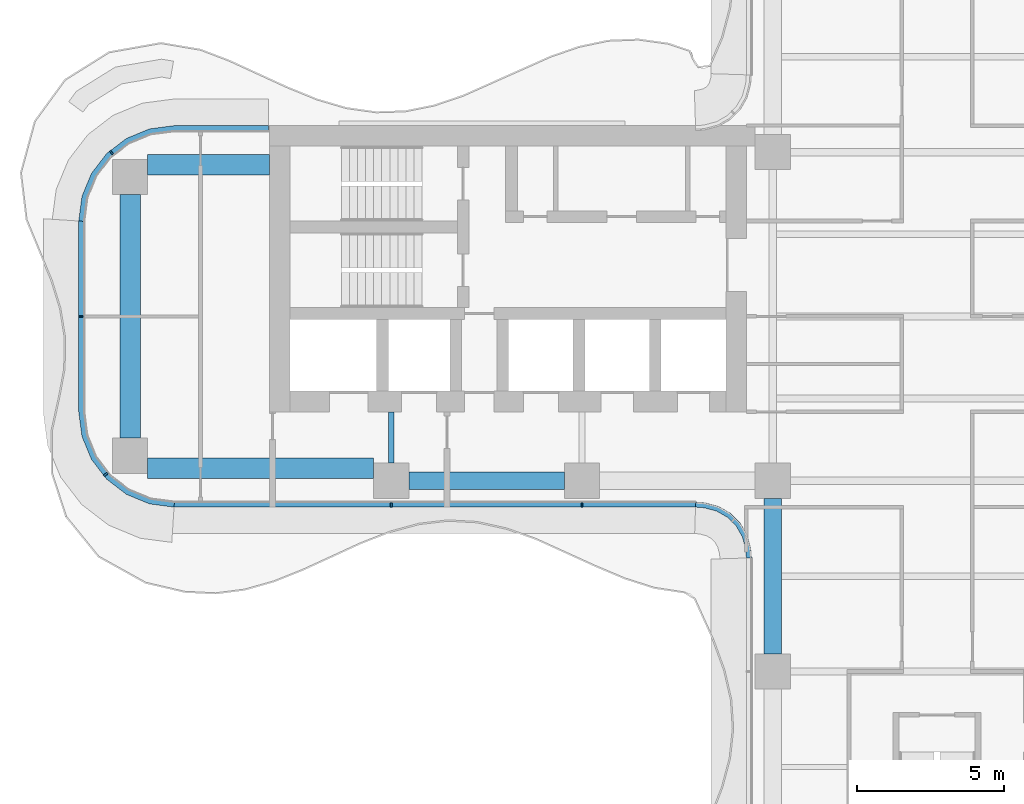
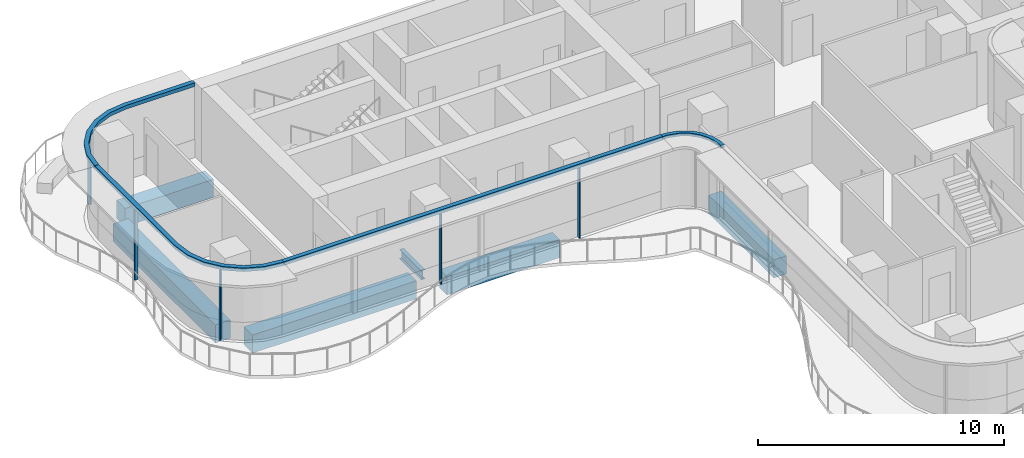
# One storey, part 3 of 18: 9 members, 6 beams, 4 elements without a shape of their own.
"""IFC4 building model written with IfcOpenShell, lengths in metres."""

from ifc_helpers import new_model, si_unit, direction, frame, origin, origin_2d, place, context, subcontext, project, spatial, polyline, rectangle, i_section, outline, extrude, source, transform, mapped, material, layer, layer_set, material_profile, profile_set, type_object, element, aggregate, save


model = new_model("IFC4")

# Units and contexts
model_context = context("Model", 3, precision=1e-05, world=origin(), true_north=direction((0.0, 1.0)))
body_context = subcontext(model_context, "Body", "Model", "MODEL_VIEW")
ifc_project = project(units=[si_unit("LENGTHUNIT", "METRE"), si_unit("AREAUNIT", "SQUARE_METRE"), si_unit("VOLUMEUNIT", "CUBIC_METRE"), si_unit("PLANEANGLEUNIT", "RADIAN"), si_unit("MASSUNIT", "GRAM", prefix="KILO")], contexts=[model_context])

# Site, building, storey
site_placement = place(None, origin())
site = spatial("IfcSite", under=ifc_project, at=site_placement, CompositionType="ELEMENT")
building_placement = place(site_placement, origin())
building = spatial("IfcBuilding", under=site, at=building_placement, Name="Trellis Farm Tower", CompositionType="ELEMENT")
storey_placement = place(building_placement, frame((0.0, 0.0, 204.89990234375)))
storey = spatial("IfcBuildingStorey", under=building, at=storey_placement, Name="L45", CompositionType="ELEMENT", Elevation=204.89990234375)

# Beams
ifc_material_1 = material(Name="Concrete C60/75", Category="concrete")
ifc_material_profile_1 = material_profile(ifc_material_1, rectangle(XDim=0.60009765625, YDim=0.89990234375, at=origin_2d()), Name="RC spandrel beam 600x900 C60/75")
ifc_profile_set_1 = profile_set([ifc_material_profile_1], Name="Concrete C60/75")
beam_type_1 = type_object("IfcBeamType", Name="RC spandrel beam 600x900 C60/75", PredefinedType="SPANDREL", material=ifc_profile_set_1)
shared_shape_1 = source(origin(), body_context, "Body", "SweptSolid", [
    extrude(rectangle(XDim=0.60009765625, YDim=0.89990234375, at=origin_2d()), origin(), (0.0, 0.0, 1.0), 5.300048828125),
])
for number, where, z_axis, x_axis, name in (
    (1, (-18.0, -5.60009765625, -0.64990234375), (1.0, 0.0, 0.0), (0.0, 1.0, 0.0), "Girder"),
    (2, (-5.60009765625, -11.5, -0.64990234375), (0.0, 1.0, 0.0), (-1.0, 0.0, 0.0), "Girder"),
):
    element("IfcBeam", number, at=place(storey_placement, frame(where, z_axis=z_axis, x_axis=x_axis)), inside=storey, type_object=beam_type_1, Name=name, PredefinedType="SPANDREL", context=body_context, shape_type="MappedRepresentation", body=[
        mapped(shared_shape_1, transform((0.0, 0.0, 0.0))),
    ])
ifc_material_profile_2 = material_profile(ifc_material_1, rectangle(XDim=0.699951171875, YDim=0.89990234375, at=origin_2d()), Name="RC spandrel beam 700x900 C60/75")
ifc_profile_set_2 = profile_set([ifc_material_profile_2], Name="Concrete C60/75")
beam_type_2 = type_object("IfcBeamType", Name="RC spandrel beam 700x900 C60/75", PredefinedType="SPANDREL", material=ifc_profile_set_2)
shared_shape_2 = source(origin(), body_context, "Body", "SweptSolid", [
    extrude(rectangle(XDim=0.699951171875, YDim=0.89990234375, at=origin_2d()), origin(), (0.0, 0.0, 1.0), 8.2998046875),
])
beam_1_placement = place(storey_placement, frame((-27.5, -4.14990234375, -0.64990234375), z_axis=(0.0, 1.0, 0.0), x_axis=(-1.0, 0.0, 0.0)))
element("IfcBeam", 3, at=beam_1_placement, inside=storey, type_object=beam_type_2, Name="Girder", PredefinedType="SPANDREL", context=body_context, shape_type="MappedRepresentation", body=[
    mapped(shared_shape_2, transform((0.0, 0.0, 0.0))),
])
ifc_material_2 = material(Name="Steel S355", Category="steel")
ifc_material_profile_3 = material_profile(ifc_material_2, i_section(OverallWidth=0.1904296875, OverallDepth=0.45703125, WebThickness=0.009033203125, FlangeThickness=0.014404296875, FilletRadius=0.01025390625, at=origin_2d()), Name="UB 457x191x74")
ifc_profile_set_3 = profile_set([ifc_material_profile_3], Name="Steel S355")
beam_type_3 = type_object("IfcBeamType", Name="UB 457x191x74", PredefinedType="BEAM", material=ifc_profile_set_3)
shared_shape_3 = source(origin(), body_context, "Body", "SweptSolid", [
    extrude(i_section(OverallWidth=0.1904296875, OverallDepth=0.45703125, WebThickness=0.009033203125, FlangeThickness=0.014404296875, FilletRadius=0.01025390625, at=origin_2d()), origin(), (0.0, 0.0, 1.0), 1.75),
])
beam_2_placement = place(storey_placement, frame((-18.60009765625, -5.0, -0.428466796875), z_axis=(0.0, 1.0, 0.0), x_axis=(-1.0, 0.0, 0.0)))
element("IfcBeam", 4, at=beam_2_placement, inside=storey, type_object=beam_type_3, Name="Girder", PredefinedType="BEAM", context=body_context, shape_type="MappedRepresentation", body=[
    mapped(shared_shape_3, transform((0.0, 0.0, 0.0))),
])
shared_shape_4 = source(origin(), body_context, "Body", "SweptSolid", [
    extrude(rectangle(XDim=0.699951171875, YDim=0.89990234375, at=origin_2d()), origin(), (0.0, 0.0, 1.0), 7.699951171875),
])
beam_3_placement = place(storey_placement, frame((-26.89990234375, -5.175048828125, -0.64990234375), z_axis=(1.0, 0.0, 0.0), x_axis=(0.0, 1.0, 0.0)))
element("IfcBeam", 5, at=beam_3_placement, inside=storey, type_object=beam_type_2, Name="Girder", PredefinedType="SPANDREL", context=body_context, shape_type="MappedRepresentation", body=[
    mapped(shared_shape_4, transform((0.0, 0.0, 0.0))),
])
shared_shape_5 = source(origin(), body_context, "Body", "SweptSolid", [
    extrude(rectangle(XDim=0.699951171875, YDim=0.89990234375, at=origin_2d()), origin(), (0.0, 0.0, 1.0), 4.14990234375),
])
beam_4_placement = place(storey_placement, frame((-26.89990234375, 5.175048828125, -0.64990234375), z_axis=(1.0, 0.0, 0.0), x_axis=(0.0, 1.0, 0.0)))
element("IfcBeam", 6, at=beam_4_placement, inside=storey, type_object=beam_type_2, Name="Girder", PredefinedType="SPANDREL", context=body_context, shape_type="MappedRepresentation", body=[
    mapped(shared_shape_5, transform((0.0, 0.0, 0.0))),
])

# Curtain wall, members
ifc_material_3 = material(Name="Aluminium and glass curtain wall", Category="aluminium")
ifc_layer_1 = layer(ifc_material_3, 0.18994140625)
ifc_layer_set_1 = layer_set([ifc_layer_1], Name="RIBBON CURTAIN WALL CW1")
curtain_wall_type_1 = type_object("IfcCurtainWallType", Name="RIBBON CURTAIN WALL CW1", PredefinedType="NOTDEFINED", material=ifc_layer_set_1)
placement_1 = place(storey_placement, origin())
curtain_wall_1 = element("IfcCurtainWall", 7, at=placement_1, inside=storey, type_object=curtain_wall_type_1, Name="CW1 001", PredefinedType="NOTDEFINED")
ifc_material_4 = material(Name="Aluminium extrusion 6063-T6", Category="aluminium")
ifc_material_profile_4 = material_profile(ifc_material_4, rectangle(XDim=0.06005859375, YDim=0.14990234375, at=origin_2d()), Name="MULLION 60x150")
ifc_profile_set_4 = profile_set([ifc_material_profile_4], Name="Aluminium extrusion 6063-T6")
member_type_1 = type_object("IfcMemberType", Name="CW1 MULLION 60x150", PredefinedType="MULLION", material=ifc_profile_set_4)
shared_shape_6 = source(origin(), body_context, "Body", "SweptSolid", [
    extrude(rectangle(XDim=0.06005859375, YDim=0.14990234375, at=origin_2d()), origin(), (0.0, 0.0, 1.0), 3.52001953125),
])
member_1_placement = place(storey_placement, frame((-18.60009765625, -6.425048828125, 0.0), z_axis=(0.0, 0.0, 1.0), x_axis=(1.0, 0.0, 0.0)))
member_1 = element("IfcMember", 8, at=member_1_placement, type_object=member_type_1, Name="MU1 001-01", PredefinedType="MULLION", context=body_context, shape_type="MappedRepresentation", body=[
    mapped(shared_shape_6, transform((0.0, 0.0, 0.0))),
])
member_2_placement = place(storey_placement, frame((-12.10009765625, -6.425048828125, 0.0), z_axis=(0.0, 0.0, 1.0), x_axis=(1.0, 0.0, 0.0)))
member_2 = element("IfcMember", 9, at=member_2_placement, type_object=member_type_1, Name="MU1 001-02", PredefinedType="MULLION", context=body_context, shape_type="MappedRepresentation", body=[
    mapped(shared_shape_6, transform((0.0, 0.0, 0.0))),
])

# Curtain wall, member
curtain_wall_2 = element("IfcCurtainWall", 10, at=placement_1, inside=storey, type_object=curtain_wall_type_1, Name="CW1 012", PredefinedType="NOTDEFINED")
member_3_placement = place(storey_placement, frame((-28.135498046875, 5.578369140625, 0.0), z_axis=(0.0, 0.0, 1.0), x_axis=(-0.793353340291, -0.608761429009, 0.0)))
member_3 = element("IfcMember", 11, at=member_3_placement, type_object=member_type_1, Name="MU1 012-01", PredefinedType="MULLION", context=body_context, shape_type="MappedRepresentation", body=[
    mapped(shared_shape_6, transform((0.0, 0.0, 0.0))),
])

# Curtain wall, members
curtain_wall_3 = element("IfcCurtainWall", 12, at=placement_1, inside=storey, type_object=curtain_wall_type_1, Name="CW1 013", PredefinedType="NOTDEFINED")
member_4_placement = place(storey_placement, frame((-29.175048828125, 0.0, 0.0), z_axis=(0.0, 0.0, 1.0), x_axis=(0.0, -1.0, 0.0)))
member_4 = element("IfcMember", 13, at=member_4_placement, type_object=member_type_1, Name="MU1 013-01", PredefinedType="MULLION", context=body_context, shape_type="MappedRepresentation", body=[
    mapped(shared_shape_6, transform((0.0, 0.0, 0.0))),
])
member_5_placement = place(storey_placement, frame((-28.328369140625, -5.385498046875, 0.0), z_axis=(0.0, 0.0, 1.0), x_axis=(0.608761429009, -0.793353340291, 0.0)))
member_5 = element("IfcMember", 14, at=member_5_placement, type_object=member_type_1, Name="MU1 013-02", PredefinedType="MULLION", context=body_context, shape_type="MappedRepresentation", body=[
    mapped(shared_shape_6, transform((0.0, 0.0, 0.0))),
])

# Curtain wall, member
ifc_layer_2 = layer(ifc_material_3, 0.166015625)
ifc_layer_set_2 = layer_set([ifc_layer_2], Name="WINTER GARDEN CURTAIN WALL CW3")
curtain_wall_type_2 = type_object("IfcCurtainWallType", Name="WINTER GARDEN CURTAIN WALL CW3", PredefinedType="NOTDEFINED", material=ifc_layer_set_2)
curtain_wall_4 = element("IfcCurtainWall", 15, at=placement_1, inside=storey, type_object=curtain_wall_type_2, Name="CW3 001", PredefinedType="NOTDEFINED")
ifc_layer_3 = layer(ifc_material_4, 0.169921875)
ifc_layer_set_3 = layer_set([ifc_layer_3], Name="Aluminium extrusion 6063-T6")
member_type_2 = type_object("IfcMemberType", Name="CW3 TRANSOM 170x150", PredefinedType="USERDEFINED", material=ifc_layer_set_3)
shared_shape_7 = source(origin(), body_context, "Body", "SweptSolid", [
    extrude(outline(polyline([(-8.2314453125, -6.5), (-8.01953125, -6.513916015625), (-7.91552734375, -6.527587890625), (-7.508544921875, -6.63671875), (-7.144287109375, -6.846923828125), (-6.846923828125, -7.144287109375), (-6.63671875, -7.508544921875), (-6.527587890625, -7.91552734375), (-6.513916015625, -8.01953125), (-6.5, -8.2314453125), (-6.330078125, -8.225830078125), (-6.3447265625, -8.0029296875), (-6.360595703125, -7.88232421875), (-6.478271484375, -7.44287109375), (-6.7109375, -7.0400390625), (-7.0400390625, -6.7109375), (-7.44287109375, -6.478271484375), (-7.88232421875, -6.360595703125), (-8.0029296875, -6.3447265625), (-8.225830078125, -6.330078125), (-8.2314453125, -6.5)])), origin(), (0.0, 0.0, 1.0), 0.150146484375),
])
member_6_placement = place(storey_placement, frame((0.0, 0.0, 3.550048828125)))
member_6 = element("IfcMember", 16, at=member_6_placement, type_object=member_type_2, Name="TR3 001", ObjectType="TRANSOM", PredefinedType="USERDEFINED", context=body_context, shape_type="MappedRepresentation", body=[
    mapped(shared_shape_7, transform((0.0, 0.0, 0.0))),
])
aggregate(curtain_wall_4, [member_6])

# Member
ifc_layer_4 = layer(ifc_material_4, 0.199951171875)
ifc_layer_set_4 = layer_set([ifc_layer_4], Name="Aluminium extrusion 6063-T6")
member_type_3 = type_object("IfcMemberType", Name="CW1 TRANSOM 200x180", PredefinedType="USERDEFINED", material=ifc_layer_set_4)
shared_shape_8 = source(origin(), body_context, "Body", "SweptSolid", [
    extrude(outline(polyline([(-26.0, -6.5), (-8.2314453125, -6.5), (-8.224853515625, -6.300048828125), (-25.98681640625, -6.300048828125), (-26.0, -6.5)])), origin(), (0.0, 0.0, 1.0), 0.18017578125),
])
placement_2 = place(storey_placement, frame((0.0, 0.0, 3.52001953125)))
member_7 = element("IfcMember", 17, at=placement_2, type_object=member_type_3, Name="TR1 001", ObjectType="TRANSOM", PredefinedType="USERDEFINED", context=body_context, shape_type="MappedRepresentation", body=[
    mapped(shared_shape_8, transform((0.0, 0.0, 0.0))),
])

aggregate(curtain_wall_1, [member_1, member_2, member_7])

shared_shape_9 = source(origin(), body_context, "Body", "SweptSolid", [
    extrude(outline(polyline([(-22.780029296875, 6.5), (-26.0, 6.5), (-26.841064453125, 6.38916015625), (-27.625, 6.064697265625), (-28.298095703125, 5.548095703125), (-28.814697265625, 4.875), (-29.13916015625, 4.091064453125), (-29.25, 3.25), (-29.050048828125, 3.23681640625), (-28.9443359375, 4.0390625), (-28.639892578125, 4.774169921875), (-28.155517578125, 5.405517578125), (-27.524169921875, 5.889892578125), (-26.7890625, 6.1943359375), (-25.98681640625, 6.300048828125), (-22.780029296875, 6.300048828125), (-22.780029296875, 6.5)])), origin(), (0.0, 0.0, 1.0), 0.18017578125),
])
member_8 = element("IfcMember", 18, at=placement_2, type_object=member_type_3, Name="TR1 012", ObjectType="TRANSOM", PredefinedType="USERDEFINED", context=body_context, shape_type="MappedRepresentation", body=[
    mapped(shared_shape_9, transform((0.0, 0.0, 0.0))),
])

aggregate(curtain_wall_2, [member_3, member_8])

shared_shape_10 = source(origin(), body_context, "Body", "SweptSolid", [
    extrude(outline(polyline([(-29.25, 3.25), (-29.25, -3.25), (-29.13916015625, -4.091064453125), (-28.814697265625, -4.875), (-28.298095703125, -5.548095703125), (-27.625, -6.064697265625), (-26.841064453125, -6.38916015625), (-26.0, -6.5), (-25.98681640625, -6.300048828125), (-26.7890625, -6.1943359375), (-27.524169921875, -5.889892578125), (-28.155517578125, -5.405517578125), (-28.639892578125, -4.774169921875), (-28.9443359375, -4.0390625), (-29.050048828125, -3.23681640625), (-29.050048828125, 3.23681640625), (-29.25, 3.25)])), origin(), (0.0, 0.0, 1.0), 0.18017578125),
])
member_9 = element("IfcMember", 19, at=placement_2, type_object=member_type_3, Name="TR1 013", ObjectType="TRANSOM", PredefinedType="USERDEFINED", context=body_context, shape_type="MappedRepresentation", body=[
    mapped(shared_shape_10, transform((0.0, 0.0, 0.0))),
])

aggregate(curtain_wall_3, [member_4, member_5, member_9])

save(model, "model.ifc")
